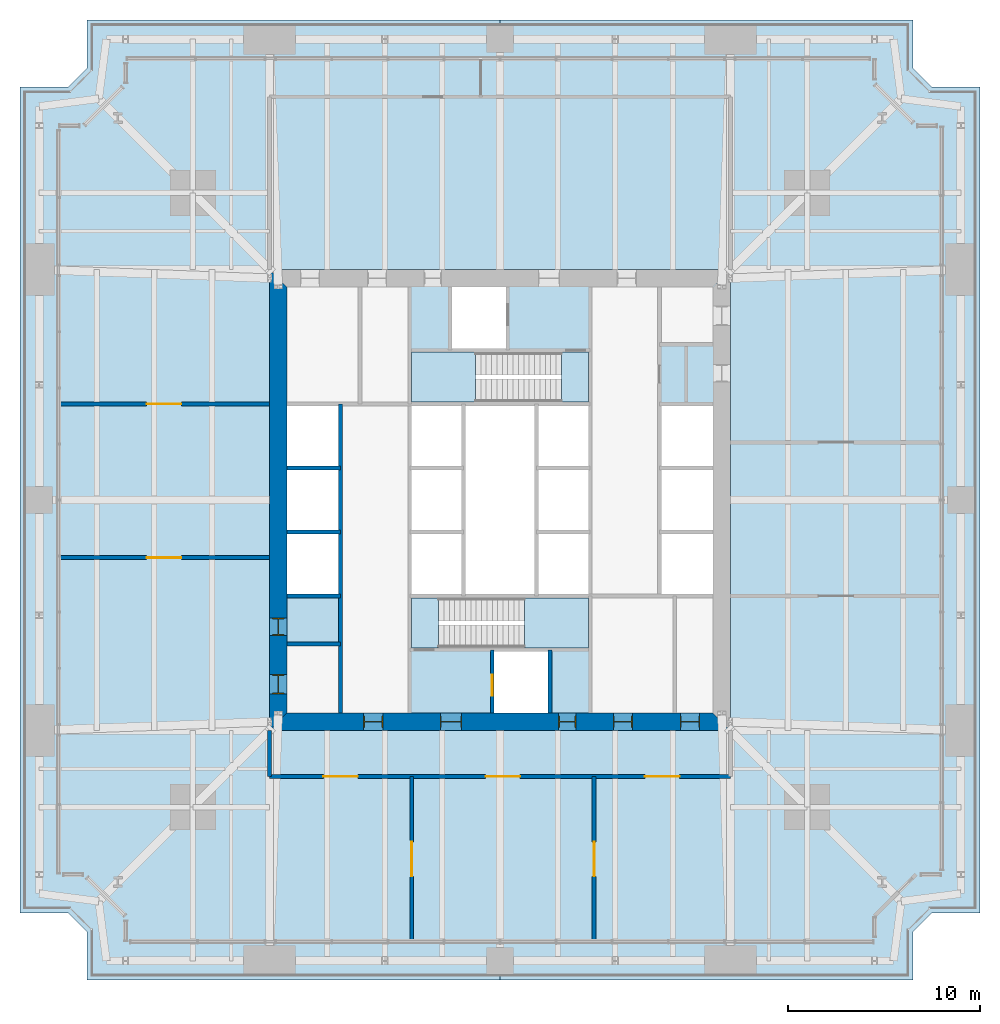
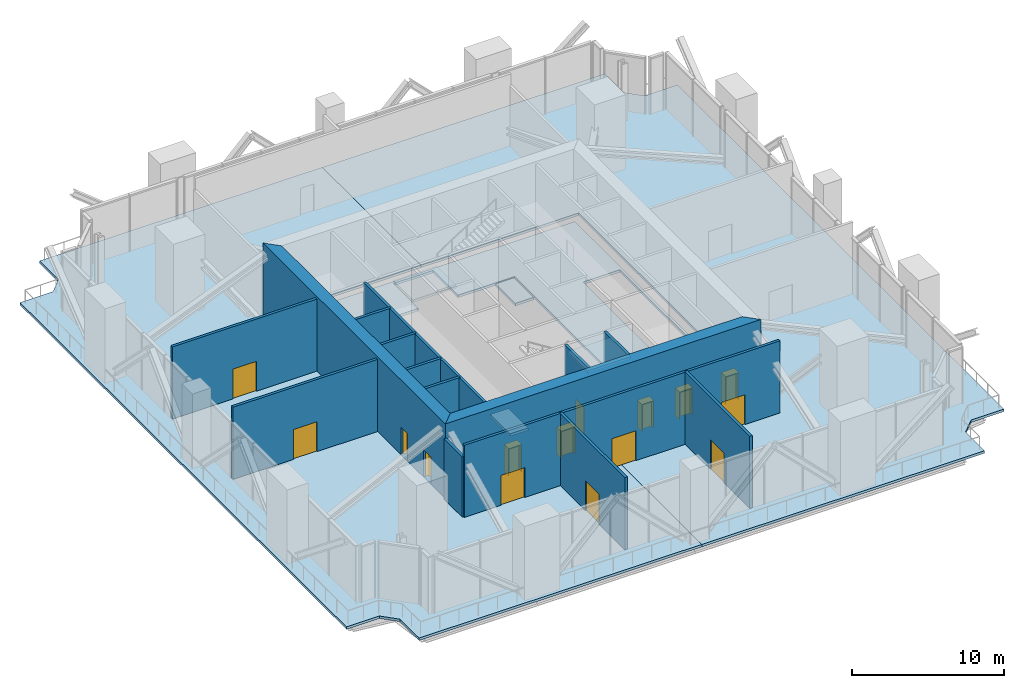
# One storey, part 8 of 13: 15 doors, 15 walls, 7 slabs, 15 openings, 2 elements without a shape of their own.
"""IFC4 building model written with IfcOpenShell, lengths in metres."""

from ifc_helpers import new_model, si_unit, direction, frame, frame_2d, origin, place, context, subcontext, project, spatial, polyline, rectangle, outline, extrude, material, layer, layer_set, type_object, element, fill, aggregate, save


model = new_model("IFC4")

# Units and contexts
model_context = context("Model", 3, precision=1e-05, world=origin(), true_north=direction((0.0, 1.0)))
body_context = subcontext(model_context, "Body", "Model", "MODEL_VIEW")
ifc_project = project(units=[si_unit("LENGTHUNIT", "METRE"), si_unit("AREAUNIT", "SQUARE_METRE"), si_unit("VOLUMEUNIT", "CUBIC_METRE"), si_unit("PLANEANGLEUNIT", "RADIAN"), si_unit("MASSUNIT", "GRAM", prefix="KILO")], contexts=[model_context])

# Site, building, storey
site_placement = place(None, origin())
site = spatial("IfcSite", under=ifc_project, at=site_placement, CompositionType="ELEMENT")
building_placement = place(site_placement, origin())
building = spatial("IfcBuilding", under=site, at=building_placement, Name="Fenwick Lantern Interchange", CompositionType="ELEMENT")
storey_placement = place(building_placement, frame((0.0, 0.0, 91.0)))
storey = spatial("IfcBuildingStorey", under=building, at=storey_placement, Name="L21", CompositionType="ELEMENT", Elevation=91.0)

# Slabs
ifc_material_1 = material(Name="Concrete f'c 35 MPa", Category="concrete")
ifc_layer_1 = layer(ifc_material_1, 0.199951171875)
ifc_layer_set_1 = layer_set([ifc_layer_1], Name="CORE FLOOR SLAB 200")
slab_type_1 = type_object("IfcSlabType", Name="CORE FLOOR SLAB 200", PredefinedType="FLOOR", material=ifc_layer_set_1)
slab_1_placement = place(storey_placement, frame((0.0, 0.0, -0.199951171875)))
element("IfcSlab", 1, at=slab_1_placement, inside=storey, type_object=slab_type_1, Name="L21/SLAB/CORE", PredefinedType="FLOOR", context=body_context, shape_type="SweptSolid", body=[
    extrude(outline(polyline([(13.699951171875, 36.300048828125), (36.300048828125, 36.300048828125), (36.300048828125, 13.699951171875), (13.699951171875, 13.699951171875), (13.699951171875, 36.300048828125)]), holes=[polyline([(13.89990234375, 20.0), (16.699951171875, 20.0), (16.699951171875, 23.333251953125), (16.699951171875, 26.666748046875), (16.699951171875, 30.0), (13.89990234375, 30.0), (13.89990234375, 26.666748046875), (13.89990234375, 23.333251953125), (13.89990234375, 20.0)]), polyline([(20.300048828125, 20.0), (20.300048828125, 17.199951171875), (24.60009765625, 17.199951171875), (24.60009765625, 13.89990234375), (27.60009765625, 13.89990234375), (27.60009765625, 17.199951171875), (29.699951171875, 17.199951171875), (29.699951171875, 20.0), (29.699951171875, 23.333251953125), (29.699951171875, 26.666748046875), (29.699951171875, 30.0), (29.699951171875, 32.800048828125), (25.39990234375, 32.800048828125), (25.39990234375, 36.10009765625), (22.39990234375, 36.10009765625), (22.39990234375, 32.800048828125), (20.300048828125, 32.800048828125), (20.300048828125, 30.0), (20.300048828125, 26.666748046875), (20.300048828125, 23.333251953125), (20.300048828125, 20.0)]), polyline([(33.300048828125, 23.333251953125), (33.300048828125, 20.0), (36.10009765625, 20.0), (36.10009765625, 23.333251953125), (36.10009765625, 26.666748046875), (36.10009765625, 30.0), (33.300048828125, 30.0), (33.300048828125, 26.666748046875), (33.300048828125, 23.333251953125)])]), origin(), (0.0, 0.0, 1.0), 0.199951171875),
])
ifc_material_2 = material(Name="Concrete f'c 35 MPa", Category="concrete")
ifc_layer_2 = layer(ifc_material_2, 0.199951171875)
ifc_layer_set_2 = layer_set([ifc_layer_2], Name="Concrete f'c 35 MPa")
slab_type_2 = type_object("IfcSlabType", Name="FLOOR SLAB 200", PredefinedType="FLOOR", material=ifc_layer_set_2)
slab_2_placement = place(storey_placement, frame((0.0, 0.0, -0.199951171875)))
element("IfcSlab", 2, at=slab_2_placement, inside=storey, type_object=slab_type_2, Name="L21/SLAB/FW", PredefinedType="FLOOR", context=body_context, shape_type="SweptSolid", body=[
    extrude(outline(polyline([(3.5, 0.0), (3.5, 2.5), (2.5, 3.5), (0.0, 3.5), (0.0, 46.5), (2.5, 46.5), (3.5, 47.5), (3.5, 50.0), (25.0, 50.0), (25.0, 37.0), (13.0, 37.0), (13.0, 13.0), (25.0, 13.0), (25.0, 0.0), (3.5, 0.0)])), origin(), (0.0, 0.0, 1.0), 0.199951171875),
])
slab_3_placement = place(storey_placement, frame((0.0, 0.0, -0.199951171875)))
element("IfcSlab", 3, at=slab_3_placement, inside=storey, type_object=slab_type_2, Name="L21/SLAB/FE", PredefinedType="FLOOR", context=body_context, shape_type="SweptSolid", body=[
    extrude(outline(polyline([(46.5, 50.0), (46.5, 47.5), (47.5, 46.5), (50.0, 46.5), (50.0, 3.5), (47.5, 3.5), (46.5, 2.5), (46.5, 0.0), (25.0, 0.0), (25.0, 13.0), (37.0, 13.0), (37.0, 37.0), (25.0, 37.0), (25.0, 50.0), (46.5, 50.0)])), origin(), (0.0, 0.0, 1.0), 0.199951171875),
])

# Stair, slabs
ifc_material_3 = material(Name="Precast concrete f'c 35 MPa", Category="concrete")
stair_type = type_object("IfcStairType", Name="EXIT STAIR 1200", PredefinedType="HALF_TURN_STAIR", material=ifc_material_3)
stair_1_placement = place(storey_placement, origin())
stair_1 = element("IfcStair", 4, at=stair_1_placement, inside=storey, type_object=stair_type, Name="Exit stair ST1", PredefinedType="HALF_TURN_STAIR")
ifc_layer_3 = layer(ifc_material_1, 0.199951171875)
ifc_layer_set_3 = layer_set([ifc_layer_3], Name="STAIR LANDING 200")
slab_type_3 = type_object("IfcSlabType", Name="STAIR LANDING 200", PredefinedType="LANDING", material=ifc_layer_set_3)
slab_4_placement = place(storey_placement, frame((0.0, 0.0, 2.800048828125)))
slab_4 = element("IfcSlab", 5, at=slab_4_placement, type_object=slab_type_3, Name="ST1 landing 1", PredefinedType="LANDING", context=body_context, shape_type="SweptSolid", body=[
    extrude(outline(polyline([(26.280029296875, 17.300048828125), (29.60009765625, 17.300048828125), (29.60009765625, 19.89990234375), (26.280029296875, 19.89990234375), (26.280029296875, 17.300048828125)])), origin(), (0.0, 0.0, 1.0), 0.199951171875),
])
slab_5_placement = place(storey_placement, frame((0.0, 0.0, -0.199951171875)))
slab_5 = element("IfcSlab", 6, at=slab_5_placement, type_object=slab_type_3, Name="ST1 landing 2", PredefinedType="LANDING", context=body_context, shape_type="SweptSolid", body=[
    extrude(outline(polyline([(20.39990234375, 17.300048828125), (21.800048828125, 17.300048828125), (21.800048828125, 19.89990234375), (20.39990234375, 19.89990234375), (20.39990234375, 17.300048828125)])), origin(), (0.0, 0.0, 1.0), 0.199951171875),
])
aggregate(stair_1, [slab_4, slab_5])

stair_2_placement = place(storey_placement, origin())
stair_2 = element("IfcStair", 7, at=stair_2_placement, inside=storey, type_object=stair_type, Name="Exit stair ST2", PredefinedType="HALF_TURN_STAIR")
slab_6_placement = place(storey_placement, frame((0.0, 0.0, 2.800048828125)))
slab_6 = element("IfcSlab", 8, at=slab_6_placement, type_object=slab_type_3, Name="ST2 landing 1", PredefinedType="LANDING", context=body_context, shape_type="SweptSolid", body=[
    extrude(outline(polyline([(23.719970703125, 32.699951171875), (20.39990234375, 32.699951171875), (20.39990234375, 30.10009765625), (23.719970703125, 30.10009765625), (23.719970703125, 32.699951171875)])), origin(), (0.0, 0.0, 1.0), 0.199951171875),
])
slab_7_placement = place(storey_placement, frame((0.0, 0.0, -0.199951171875)))
slab_7 = element("IfcSlab", 9, at=slab_7_placement, type_object=slab_type_3, Name="ST2 landing 2", PredefinedType="LANDING", context=body_context, shape_type="SweptSolid", body=[
    extrude(outline(polyline([(29.60009765625, 32.699951171875), (28.199951171875, 32.699951171875), (28.199951171875, 30.10009765625), (29.60009765625, 30.10009765625), (29.60009765625, 32.699951171875)])), origin(), (0.0, 0.0, 1.0), 0.199951171875),
])
aggregate(stair_2, [slab_6, slab_7])

# Walls
ifc_material_4 = material(Name="Concrete masonry ASTM C90 Grade N", Category="masonry")
ifc_layer_4 = layer(ifc_material_4, 0.199951171875)
ifc_layer_set_4 = layer_set([ifc_layer_4], Name="Concrete masonry ASTM C90 Grade N")
wall_type_1 = type_object("IfcWallType", Name="CORE PARTITION 200", PredefinedType="PARTITIONING", material=ifc_layer_set_4)
wall_1_placement = place(storey_placement, frame((16.699951171875, 13.89990234375, 0.0), z_axis=(0.0, 0.0, 1.0), x_axis=(0.0, 1.0, 0.0)))
element("IfcWall", 10, at=wall_1_placement, inside=storey, type_object=wall_type_1, Name="L21/W/CORES/a", PredefinedType="PARTITIONING", context=body_context, shape_type="SweptSolid", body=[
    extrude(rectangle(XDim=16.10009765625, YDim=0.199951171875, at=frame_2d((8.050048828125, 0.0))), origin(), (0.0, 0.0, 1.0), 5.800048828125),
])
for number, where, z_axis, x_axis, name in (
    (11, (13.89990234375, 20.0, 0.0), (0.0, 0.0, 1.0), (1.0, 0.0, 0.0), "L21/W/CORES/c2"),
    (12, (13.89990234375, 23.333251953125, 0.0), (0.0, 0.0, 1.0), (1.0, 0.0, 0.0), "L21/W/CORES/d1"),
    (13, (13.89990234375, 26.666748046875, 0.0), (0.0, 0.0, 1.0), (1.0, 0.0, 0.0), "L21/W/CORES/d2"),
):
    element("IfcWall", number, at=place(storey_placement, frame(where, z_axis=z_axis, x_axis=x_axis)), inside=storey, type_object=wall_type_1, Name=name, PredefinedType="PARTITIONING", context=body_context, shape_type="SweptSolid", body=[
        extrude(rectangle(XDim=2.800048828125, YDim=0.199951171875, at=frame_2d((1.39990234375, 0.0))), origin(), (0.0, 0.0, 1.0), 5.800048828125),
    ])

# Wall, opening, door
wall_2_placement = place(storey_placement, frame((24.60009765625, 13.89990234375, 0.0), z_axis=(0.0, 0.0, 1.0), x_axis=(0.0, 1.0, 0.0)))
wall_2 = element("IfcWall", 14, at=wall_2_placement, inside=storey, type_object=wall_type_1, Name="L21/W/CORES/h1", PredefinedType="PARTITIONING", context=body_context, shape_type="SweptSolid", body=[
    extrude(rectangle(XDim=3.300048828125, YDim=0.199951171875, at=frame_2d((1.64990234375, 0.0))), origin(), (0.0, 0.0, 1.0), 5.800048828125),
])
opening_1_placement = place(wall_2_placement, frame((0.89990234375, 0.0, 0.0)))
opening_1 = element("IfcOpeningElement", 15, at=opening_1_placement, cuts=wall_2, Name="Opening LD-FL1", PredefinedType="OPENING", context=body_context, shape_type="SweptSolid", body=[
    extrude(rectangle(XDim=1.10009765625, YDim=2.199951171875, at=frame_2d((0.550048828125, 1.10009765625))), frame((0.0, 0.10986328125, 0.0), z_axis=(0.0, -1.0, 0.0), x_axis=(1.0, 0.0, 0.0)), (0.0, 0.0, 1.0), 0.219970703125),
])
ifc_material_5 = material(Name="Steel door and frame", Category="steel")
door_type_1 = type_object("IfcDoorType", Name="LIFT LANDING DOOR 1100 X 2200", OperationType="DOUBLE_DOOR_SLIDING", PredefinedType="DOOR", material=ifc_material_5)
door_1_placement = place(opening_1_placement, origin())
door_1 = element("IfcDoor", 16, at=door_1_placement, inside=storey, type_object=door_type_1, Name="Lift landing door FL1", OperationType="DOUBLE_DOOR_SLIDING", OverallHeight=2.199951171875, OverallWidth=1.10009765625, PredefinedType="DOOR", context=body_context, shape_type="SweptSolid", body=[
    extrude(rectangle(XDim=1.10009765625, YDim=2.199951171875, at=frame_2d((0.550048828125, 1.10009765625))), frame((0.0, 0.02490234375, 0.0), z_axis=(0.0, -1.0, 0.0), x_axis=(1.0, 0.0, 0.0)), (0.0, 0.0, 1.0), 0.050048828125),
])
fill(opening_1, door_1)

# Walls
wall_3_placement = place(storey_placement, frame((27.60009765625, 13.89990234375, 0.0), z_axis=(0.0, 0.0, 1.0), x_axis=(0.0, 1.0, 0.0)))
element("IfcWall", 17, at=wall_3_placement, inside=storey, type_object=wall_type_1, Name="L21/W/CORES/h2", PredefinedType="PARTITIONING", context=body_context, shape_type="SweptSolid", body=[
    extrude(rectangle(XDim=3.300048828125, YDim=0.199951171875, at=frame_2d((1.64990234375, 0.0))), origin(), (0.0, 0.0, 1.0), 5.800048828125),
])
wall_4_placement = place(storey_placement, frame((13.89990234375, 17.5, 0.0), z_axis=(0.0, 0.0, 1.0), x_axis=(1.0, 0.0, 0.0)))
element("IfcWall", 18, at=wall_4_placement, inside=storey, type_object=wall_type_1, Name="L21/W/CORES/p1", PredefinedType="PARTITIONING", context=body_context, shape_type="SweptSolid", body=[
    extrude(rectangle(XDim=2.800048828125, YDim=0.199951171875, at=frame_2d((1.39990234375, 0.0))), origin(), (0.0, 0.0, 1.0), 5.800048828125),
])

# Wall, openings, doors
ifc_material_6 = material(Name="Concrete f'c 70 MPa", Category="concrete")
ifc_layer_5 = layer(ifc_material_6, 0.89990234375)
ifc_layer_set_5 = layer_set([ifc_layer_5], Name="CORE WALL 900")
wall_type_2 = type_object("IfcWallType", Name="CORE WALL 900", PredefinedType="SHEAR", material=ifc_layer_set_5)
wall_5_placement = place(storey_placement, frame((13.0, 13.449951171875, 0.0), z_axis=(0.0, 0.0, 1.0), x_axis=(1.0, 0.0, 0.0)))
wall_5 = element("IfcWall", 19, at=wall_5_placement, inside=storey, type_object=wall_type_2, Name="L21/CORE/S", PredefinedType="SHEAR", context=body_context, shape_type="SweptSolid", body=[
    extrude(outline(polyline([(0.0, -0.449951171875), (24.0, -0.449951171875), (23.10009765625, 0.449951171875), (0.89990234375, 0.449951171875), (0.0, -0.449951171875)])), origin(), (0.0, 0.0, 1.0), 6.0),
])
opening_2_placement = place(wall_5_placement, frame((4.89990234375, 0.0, 0.0)))
opening_2 = element("IfcOpeningElement", 20, at=opening_2_placement, cuts=wall_5, Name="Opening L21-D002", PredefinedType="OPENING", context=body_context, shape_type="SweptSolid", body=[
    extrude(rectangle(XDim=1.0, YDim=2.199951171875, at=frame_2d((0.5, 1.10009765625))), frame((0.0, 0.4599609375, 0.0), z_axis=(0.0, -1.0, 0.0), x_axis=(1.0, 0.0, 0.0)), (0.0, 0.0, 1.0), 0.919921875),
])
opening_3_placement = place(wall_5_placement, frame((8.89990234375, 0.0, 0.0)))
opening_3 = element("IfcOpeningElement", 21, at=opening_3_placement, cuts=wall_5, Name="Opening L21-D003", PredefinedType="OPENING", context=body_context, shape_type="SweptSolid", body=[
    extrude(rectangle(XDim=1.10009765625, YDim=2.199951171875, at=frame_2d((0.550048828125, 1.10009765625))), frame((0.0, 0.4599609375, 0.0), z_axis=(0.0, -1.0, 0.0), x_axis=(1.0, 0.0, 0.0)), (0.0, 0.0, 1.0), 0.919921875),
])
opening_4_placement = place(wall_5_placement, frame((15.050048828125, 0.0, 0.0)))
opening_4 = element("IfcOpeningElement", 22, at=opening_4_placement, cuts=wall_5, Name="Opening L21-D005", PredefinedType="OPENING", context=body_context, shape_type="SweptSolid", body=[
    extrude(rectangle(XDim=0.89990234375, YDim=2.199951171875, at=frame_2d((0.449951171875, 1.10009765625))), frame((0.0, 0.4599609375, 0.0), z_axis=(0.0, -1.0, 0.0), x_axis=(1.0, 0.0, 0.0)), (0.0, 0.0, 1.0), 0.919921875),
])
opening_5_placement = place(wall_5_placement, frame((17.89990234375, 0.0, 0.0)))
opening_5 = element("IfcOpeningElement", 23, at=opening_5_placement, cuts=wall_5, Name="Opening L21-D006", PredefinedType="OPENING", context=body_context, shape_type="SweptSolid", body=[
    extrude(rectangle(XDim=1.0, YDim=2.199951171875, at=frame_2d((0.5, 1.10009765625))), frame((0.0, 0.4599609375, 0.0), z_axis=(0.0, -1.0, 0.0), x_axis=(1.0, 0.0, 0.0)), (0.0, 0.0, 1.0), 0.919921875),
])
opening_6_placement = place(wall_5_placement, frame((21.39990234375, 0.0, 0.0)))
opening_6 = element("IfcOpeningElement", 24, at=opening_6_placement, cuts=wall_5, Name="Opening L21-D007", PredefinedType="OPENING", context=body_context, shape_type="SweptSolid", body=[
    extrude(rectangle(XDim=1.0, YDim=2.199951171875, at=frame_2d((0.5, 1.10009765625))), frame((0.0, 0.4599609375, 0.0), z_axis=(0.0, -1.0, 0.0), x_axis=(1.0, 0.0, 0.0)), (0.0, 0.0, 1.0), 0.919921875),
])
door_type_2 = type_object("IfcDoorType", Name="CORE LOBBY DOOR 1000 X 2200", OperationType="SINGLE_SWING_LEFT", PredefinedType="DOOR", material=ifc_material_5)
door_2_placement = place(opening_2_placement, origin())
door_2 = element("IfcDoor", 25, at=door_2_placement, inside=storey, type_object=door_type_2, Name="Core lobby door", OperationType="SINGLE_SWING_LEFT", OverallHeight=2.199951171875, OverallWidth=1.0, PredefinedType="DOOR", context=body_context, shape_type="SweptSolid", body=[
    extrude(rectangle(XDim=1.0, YDim=2.199951171875, at=frame_2d((0.5, 1.10009765625))), frame((0.0, 0.02490234375, 0.0), z_axis=(0.0, -1.0, 0.0), x_axis=(1.0, 0.0, 0.0)), (0.0, 0.0, 1.0), 0.050048828125),
    extrude(outline(polyline([(0.0, 0.0), (0.0400390625, 0.0), (0.0400390625, 2.159912109375), (0.9599609375, 2.159912109375), (0.9599609375, 0.0), (1.0, 0.0), (1.0, 2.199951171875), (0.0, 2.199951171875), (0.0, 0.0)])), frame((0.0, 0.300048828125, 0.0), z_axis=(0.0, -1.0, 0.0), x_axis=(1.0, 0.0, 0.0)), (0.0, 0.0, 1.0), 0.60009765625),
])
fill(opening_2, door_2)
door_type_3 = type_object("IfcDoorType", Name="FIRE LOBBY DOOR 1100 X 2200", OperationType="SINGLE_SWING_LEFT", PredefinedType="DOOR", material=ifc_material_5)
door_3_placement = place(opening_3_placement, origin())
door_3 = element("IfcDoor", 26, at=door_3_placement, inside=storey, type_object=door_type_3, Name="Fire lobby door", OperationType="SINGLE_SWING_LEFT", OverallHeight=2.199951171875, OverallWidth=1.10009765625, PredefinedType="DOOR", context=body_context, shape_type="SweptSolid", body=[
    extrude(rectangle(XDim=1.10009765625, YDim=2.199951171875, at=frame_2d((0.550048828125, 1.10009765625))), frame((0.0, 0.02490234375, 0.0), z_axis=(0.0, -1.0, 0.0), x_axis=(1.0, 0.0, 0.0)), (0.0, 0.0, 1.0), 0.050048828125),
    extrude(outline(polyline([(0.0, 0.0), (0.0400390625, 0.0), (0.0400390625, 2.159912109375), (1.06005859375, 2.159912109375), (1.06005859375, 0.0), (1.10009765625, 0.0), (1.10009765625, 2.199951171875), (0.0, 2.199951171875), (0.0, 0.0)])), frame((0.0, 0.300048828125, 0.0), z_axis=(0.0, -1.0, 0.0), x_axis=(1.0, 0.0, 0.0)), (0.0, 0.0, 1.0), 0.60009765625),
])
fill(opening_3, door_3)
door_type_4 = type_object("IfcDoorType", Name="SERVICE DOOR 900 X 2200", OperationType="SINGLE_SWING_LEFT", PredefinedType="DOOR", material=ifc_material_5)
door_4_placement = place(opening_4_placement, origin())
door_4 = element("IfcDoor", 27, at=door_4_placement, inside=storey, type_object=door_type_4, Name="Service door", OperationType="SINGLE_SWING_LEFT", OverallHeight=2.199951171875, OverallWidth=0.89990234375, PredefinedType="DOOR", context=body_context, shape_type="SweptSolid", body=[
    extrude(rectangle(XDim=0.89990234375, YDim=2.199951171875, at=frame_2d((0.449951171875, 1.10009765625))), frame((0.0, 0.02490234375, 0.0), z_axis=(0.0, -1.0, 0.0), x_axis=(1.0, 0.0, 0.0)), (0.0, 0.0, 1.0), 0.050048828125),
    extrude(outline(polyline([(0.0, 0.0), (0.0400390625, 0.0), (0.0400390625, 2.159912109375), (0.85986328125, 2.159912109375), (0.85986328125, 0.0), (0.89990234375, 0.0), (0.89990234375, 2.199951171875), (0.0, 2.199951171875), (0.0, 0.0)])), frame((0.0, 0.300048828125, 0.0), z_axis=(0.0, -1.0, 0.0), x_axis=(1.0, 0.0, 0.0)), (0.0, 0.0, 1.0), 0.60009765625),
])
fill(opening_4, door_4)
ifc_material_7 = material(Name="Hardwood door and steel frame", Category="steel")
door_type_5 = type_object("IfcDoorType", Name="WC DOOR 1000 X 2200", OperationType="SINGLE_SWING_LEFT", PredefinedType="DOOR", material=ifc_material_7)
door_5_placement = place(opening_5_placement, origin())
door_5 = element("IfcDoor", 28, at=door_5_placement, inside=storey, type_object=door_type_5, Name="Wc door", OperationType="SINGLE_SWING_LEFT", OverallHeight=2.199951171875, OverallWidth=1.0, PredefinedType="DOOR", context=body_context, shape_type="SweptSolid", body=[
    extrude(rectangle(XDim=1.0, YDim=2.199951171875, at=frame_2d((0.5, 1.10009765625))), frame((0.0, 0.02490234375, 0.0), z_axis=(0.0, -1.0, 0.0), x_axis=(1.0, 0.0, 0.0)), (0.0, 0.0, 1.0), 0.050048828125),
    extrude(outline(polyline([(0.0, 0.0), (0.0400390625, 0.0), (0.0400390625, 2.159912109375), (0.9599609375, 2.159912109375), (0.9599609375, 0.0), (1.0, 0.0), (1.0, 2.199951171875), (0.0, 2.199951171875), (0.0, 0.0)])), frame((0.0, 0.300048828125, 0.0), z_axis=(0.0, -1.0, 0.0), x_axis=(1.0, 0.0, 0.0)), (0.0, 0.0, 1.0), 0.60009765625),
])
fill(opening_5, door_5)
door_6_placement = place(opening_6_placement, origin())
door_6 = element("IfcDoor", 29, at=door_6_placement, inside=storey, type_object=door_type_5, Name="Wc door", OperationType="SINGLE_SWING_LEFT", OverallHeight=2.199951171875, OverallWidth=1.0, PredefinedType="DOOR", context=body_context, shape_type="SweptSolid", body=[
    extrude(rectangle(XDim=1.0, YDim=2.199951171875, at=frame_2d((0.5, 1.10009765625))), frame((0.0, 0.02490234375, 0.0), z_axis=(0.0, -1.0, 0.0), x_axis=(1.0, 0.0, 0.0)), (0.0, 0.0, 1.0), 0.050048828125),
    extrude(outline(polyline([(0.0, 0.0), (0.0400390625, 0.0), (0.0400390625, 2.159912109375), (0.9599609375, 2.159912109375), (0.9599609375, 0.0), (1.0, 0.0), (1.0, 2.199951171875), (0.0, 2.199951171875), (0.0, 0.0)])), frame((0.0, 0.300048828125, 0.0), z_axis=(0.0, -1.0, 0.0), x_axis=(1.0, 0.0, 0.0)), (0.0, 0.0, 1.0), 0.60009765625),
])
fill(opening_6, door_6)

wall_6_placement = place(storey_placement, frame((13.449951171875, 36.10009765625, 0.0), z_axis=(0.0, 0.0, 1.0), x_axis=(0.0, -1.0, 0.0)))
wall_6 = element("IfcWall", 30, at=wall_6_placement, inside=storey, type_object=wall_type_2, Name="L21/CORE/W", PredefinedType="SHEAR", context=body_context, shape_type="SweptSolid", body=[
    extrude(outline(polyline([(-0.89990234375, -0.449951171875), (23.10009765625, -0.449951171875), (22.199951171875, 0.449951171875), (0.0, 0.449951171875), (-0.89990234375, -0.449951171875)])), origin(), (0.0, 0.0, 1.0), 6.0),
])
opening_7_placement = place(wall_6_placement, frame((20.199951171875, 0.0, 0.0)))
opening_7 = element("IfcOpeningElement", 31, at=opening_7_placement, cuts=wall_6, Name="Opening L21-D008", PredefinedType="OPENING", context=body_context, shape_type="SweptSolid", body=[
    extrude(rectangle(XDim=1.0, YDim=2.199951171875, at=frame_2d((0.5, 1.10009765625))), frame((0.0, 0.4599609375, 0.0), z_axis=(0.0, -1.0, 0.0), x_axis=(1.0, 0.0, 0.0)), (0.0, 0.0, 1.0), 0.919921875),
])
opening_8_placement = place(wall_6_placement, frame((17.25, 0.0, 0.0)))
opening_8 = element("IfcOpeningElement", 32, at=opening_8_placement, cuts=wall_6, Name="Opening L21-D009", PredefinedType="OPENING", context=body_context, shape_type="SweptSolid", body=[
    extrude(rectangle(XDim=0.89990234375, YDim=2.199951171875, at=frame_2d((0.449951171875, 1.10009765625))), frame((0.0, 0.4599609375, 0.0), z_axis=(0.0, -1.0, 0.0), x_axis=(1.0, 0.0, 0.0)), (0.0, 0.0, 1.0), 0.919921875),
])
door_7_placement = place(opening_8_placement, origin())
door_7 = element("IfcDoor", 33, at=door_7_placement, inside=storey, type_object=door_type_4, Name="Service door", OperationType="SINGLE_SWING_RIGHT", OverallHeight=2.199951171875, OverallWidth=0.89990234375, PredefinedType="DOOR", context=body_context, shape_type="SweptSolid", body=[
    extrude(rectangle(XDim=0.89990234375, YDim=2.199951171875, at=frame_2d((0.449951171875, 1.10009765625))), frame((0.0, 0.02490234375, 0.0), z_axis=(0.0, -1.0, 0.0), x_axis=(1.0, 0.0, 0.0)), (0.0, 0.0, 1.0), 0.050048828125),
    extrude(outline(polyline([(0.0, 0.0), (0.0400390625, 0.0), (0.0400390625, 2.159912109375), (0.85986328125, 2.159912109375), (0.85986328125, 0.0), (0.89990234375, 0.0), (0.89990234375, 2.199951171875), (0.0, 2.199951171875), (0.0, 0.0)])), frame((0.0, 0.300048828125, 0.0), z_axis=(0.0, -1.0, 0.0), x_axis=(1.0, 0.0, 0.0)), (0.0, 0.0, 1.0), 0.60009765625),
])
fill(opening_8, door_7)
door_8_placement = place(opening_7_placement, origin())
door_8 = element("IfcDoor", 34, at=door_8_placement, inside=storey, type_object=door_type_5, Name="Wc door", OperationType="SINGLE_SWING_RIGHT", OverallHeight=2.199951171875, OverallWidth=1.0, PredefinedType="DOOR", context=body_context, shape_type="SweptSolid", body=[
    extrude(rectangle(XDim=1.0, YDim=2.199951171875, at=frame_2d((0.5, 1.10009765625))), frame((0.0, 0.02490234375, 0.0), z_axis=(0.0, -1.0, 0.0), x_axis=(1.0, 0.0, 0.0)), (0.0, 0.0, 1.0), 0.050048828125),
    extrude(outline(polyline([(0.0, 0.0), (0.0400390625, 0.0), (0.0400390625, 2.159912109375), (0.9599609375, 2.159912109375), (0.9599609375, 0.0), (1.0, 0.0), (1.0, 2.199951171875), (0.0, 2.199951171875), (0.0, 0.0)])), frame((0.0, 0.300048828125, 0.0), z_axis=(0.0, -1.0, 0.0), x_axis=(1.0, 0.0, 0.0)), (0.0, 0.0, 1.0), 0.60009765625),
])
fill(opening_7, door_8)

ifc_layer_6 = layer(ifc_material_4, 0.199951171875)
ifc_layer_set_6 = layer_set([ifc_layer_6], Name="Concrete masonry ASTM C90 Grade N")
wall_type_3 = type_object("IfcWallType", Name="PLANT ROOM WALL 200", PredefinedType="PARTITIONING", material=ifc_layer_set_6)
wall_7_placement = place(storey_placement, frame((13.0, 10.60009765625, 0.0), z_axis=(0.0, 0.0, 1.0), x_axis=(1.0, 0.0, 0.0)))
wall_7 = element("IfcWall", 35, at=wall_7_placement, inside=storey, type_object=wall_type_3, Name="L21/W/FLOOR/PCS-W", PredefinedType="PARTITIONING", context=body_context, shape_type="SweptSolid", body=[
    extrude(rectangle(XDim=24.0, YDim=0.199951171875, at=frame_2d((12.0, 0.0))), origin(), (0.0, 0.0, 1.0), 5.800048828125),
])
opening_9_placement = place(wall_7_placement, frame((2.800048828125, 0.0, 0.0)))
opening_9 = element("IfcOpeningElement", 36, at=opening_9_placement, cuts=wall_7, Name="Opening L21-D027", PredefinedType="OPENING", context=body_context, shape_type="SweptSolid", body=[
    extrude(rectangle(XDim=1.800048828125, YDim=2.39990234375, at=frame_2d((0.89990234375, 1.199951171875))), frame((0.0, 0.10986328125, 0.0), z_axis=(0.0, -1.0, 0.0), x_axis=(1.0, 0.0, 0.0)), (0.0, 0.0, 1.0), 0.219970703125),
])
opening_10_placement = place(wall_7_placement, frame((11.25, 0.0, 0.0)))
opening_10 = element("IfcOpeningElement", 37, at=opening_10_placement, cuts=wall_7, Name="Opening L21-D028", PredefinedType="OPENING", context=body_context, shape_type="SweptSolid", body=[
    extrude(rectangle(XDim=1.800048828125, YDim=2.39990234375, at=frame_2d((0.89990234375, 1.199951171875))), frame((0.0, 0.10986328125, 0.0), z_axis=(0.0, -1.0, 0.0), x_axis=(1.0, 0.0, 0.0)), (0.0, 0.0, 1.0), 0.219970703125),
])
opening_11_placement = place(wall_7_placement, frame((19.550048828125, 0.0, 0.0)))
opening_11 = element("IfcOpeningElement", 38, at=opening_11_placement, cuts=wall_7, Name="Opening L21-D029", PredefinedType="OPENING", context=body_context, shape_type="SweptSolid", body=[
    extrude(rectangle(XDim=1.800048828125, YDim=2.39990234375, at=frame_2d((0.89990234375, 1.199951171875))), frame((0.0, 0.10986328125, 0.0), z_axis=(0.0, -1.0, 0.0), x_axis=(1.0, 0.0, 0.0)), (0.0, 0.0, 1.0), 0.219970703125),
])
door_type_6 = type_object("IfcDoorType", Name="ROOM DOOR PAIR 1800 X 2400", OperationType="DOUBLE_DOOR_SINGLE_SWING", PredefinedType="DOOR", material=ifc_material_5)
door_9_placement = place(opening_9_placement, origin())
door_9 = element("IfcDoor", 39, at=door_9_placement, inside=storey, type_object=door_type_6, Name="Room door pair", OperationType="DOUBLE_DOOR_SINGLE_SWING", OverallHeight=2.39990234375, OverallWidth=1.800048828125, PredefinedType="DOOR", context=body_context, shape_type="SweptSolid", body=[
    extrude(rectangle(XDim=1.800048828125, YDim=2.39990234375, at=frame_2d((0.89990234375, 1.199951171875))), frame((0.0, 0.02490234375, 0.0), z_axis=(0.0, -1.0, 0.0), x_axis=(1.0, 0.0, 0.0)), (0.0, 0.0, 1.0), 0.050048828125),
])
fill(opening_9, door_9)
door_10_placement = place(opening_10_placement, origin())
door_10 = element("IfcDoor", 40, at=door_10_placement, inside=storey, type_object=door_type_6, Name="Room door pair", OperationType="DOUBLE_DOOR_SINGLE_SWING", OverallHeight=2.39990234375, OverallWidth=1.800048828125, PredefinedType="DOOR", context=body_context, shape_type="SweptSolid", body=[
    extrude(rectangle(XDim=1.800048828125, YDim=2.39990234375, at=frame_2d((0.89990234375, 1.199951171875))), frame((0.0, 0.02490234375, 0.0), z_axis=(0.0, -1.0, 0.0), x_axis=(1.0, 0.0, 0.0)), (0.0, 0.0, 1.0), 0.050048828125),
])
fill(opening_10, door_10)
door_11_placement = place(opening_11_placement, origin())
door_11 = element("IfcDoor", 41, at=door_11_placement, inside=storey, type_object=door_type_6, Name="Room door pair", OperationType="DOUBLE_DOOR_SINGLE_SWING", OverallHeight=2.39990234375, OverallWidth=1.800048828125, PredefinedType="DOOR", context=body_context, shape_type="SweptSolid", body=[
    extrude(rectangle(XDim=1.800048828125, YDim=2.39990234375, at=frame_2d((0.89990234375, 1.199951171875))), frame((0.0, 0.02490234375, 0.0), z_axis=(0.0, -1.0, 0.0), x_axis=(1.0, 0.0, 0.0)), (0.0, 0.0, 1.0), 0.050048828125),
])
fill(opening_11, door_11)

# Wall
wall_8_placement = place(storey_placement, frame((13.0, 10.60009765625, 0.0), z_axis=(0.0, 0.0, 1.0), x_axis=(0.0, 1.0, 0.0)))
element("IfcWall", 42, at=wall_8_placement, inside=storey, type_object=wall_type_3, Name="L21/W/FLOOR/PCS-A", PredefinedType="PARTITIONING", context=body_context, shape_type="SweptSolid", body=[
    extrude(rectangle(XDim=2.39990234375, YDim=0.199951171875, at=frame_2d((1.199951171875, 0.0))), origin(), (0.0, 0.0, 1.0), 4.8525390625),
])

# Wall, opening, door
wall_9_placement = place(storey_placement, frame((20.39990234375, 2.0, 0.0), z_axis=(0.0, 0.0, 1.0), x_axis=(0.0, 1.0, 0.0)))
wall_9 = element("IfcWall", 43, at=wall_9_placement, inside=storey, type_object=wall_type_3, Name="L21/W/FLOOR/PW1", PredefinedType="PARTITIONING", context=body_context, shape_type="SweptSolid", body=[
    extrude(rectangle(XDim=8.60009765625, YDim=0.199951171875, at=frame_2d((4.300048828125, 0.0))), origin(), (0.0, 0.0, 1.0), 5.800048828125),
])
opening_12_placement = place(wall_9_placement, frame((3.39990234375, 0.0, 0.0)))
opening_12 = element("IfcOpeningElement", 44, at=opening_12_placement, cuts=wall_9, Name="Opening L21-D020", PredefinedType="OPENING", context=body_context, shape_type="SweptSolid", body=[
    extrude(rectangle(XDim=1.800048828125, YDim=2.39990234375, at=frame_2d((0.89990234375, 1.199951171875))), frame((0.0, 0.10986328125, 0.0), z_axis=(0.0, -1.0, 0.0), x_axis=(1.0, 0.0, 0.0)), (0.0, 0.0, 1.0), 0.219970703125),
])
door_12_placement = place(opening_12_placement, frame((1.800048828125, 0.0, 0.0), z_axis=(0.0, 0.0, 1.0), x_axis=(-1.0, 0.0, 0.0)))
door_12 = element("IfcDoor", 45, at=door_12_placement, inside=storey, type_object=door_type_6, Name="Room door pair", OperationType="DOUBLE_DOOR_SINGLE_SWING", OverallHeight=2.39990234375, OverallWidth=1.800048828125, PredefinedType="DOOR", context=body_context, shape_type="SweptSolid", body=[
    extrude(rectangle(XDim=1.800048828125, YDim=2.39990234375, at=frame_2d((0.89990234375, 1.199951171875))), frame((0.0, 0.02490234375, 0.0), z_axis=(0.0, -1.0, 0.0), x_axis=(1.0, 0.0, 0.0)), (0.0, 0.0, 1.0), 0.050048828125),
])
fill(opening_12, door_12)

wall_10_placement = place(storey_placement, frame((29.89990234375, 2.0, 0.0), z_axis=(0.0, 0.0, 1.0), x_axis=(0.0, 1.0, 0.0)))
wall_10 = element("IfcWall", 46, at=wall_10_placement, inside=storey, type_object=wall_type_3, Name="L21/W/FLOOR/PW2", PredefinedType="PARTITIONING", context=body_context, shape_type="SweptSolid", body=[
    extrude(rectangle(XDim=8.60009765625, YDim=0.199951171875, at=frame_2d((4.300048828125, 0.0))), origin(), (0.0, 0.0, 1.0), 5.800048828125),
])
opening_13_placement = place(wall_10_placement, frame((3.39990234375, 0.0, 0.0)))
opening_13 = element("IfcOpeningElement", 47, at=opening_13_placement, cuts=wall_10, Name="Opening L21-D021", PredefinedType="OPENING", context=body_context, shape_type="SweptSolid", body=[
    extrude(rectangle(XDim=1.800048828125, YDim=2.39990234375, at=frame_2d((0.89990234375, 1.199951171875))), frame((0.0, 0.10986328125, 0.0), z_axis=(0.0, -1.0, 0.0), x_axis=(1.0, 0.0, 0.0)), (0.0, 0.0, 1.0), 0.219970703125),
])
door_13_placement = place(opening_13_placement, origin())
door_13 = element("IfcDoor", 48, at=door_13_placement, inside=storey, type_object=door_type_6, Name="Room door pair", OperationType="DOUBLE_DOOR_SINGLE_SWING", OverallHeight=2.39990234375, OverallWidth=1.800048828125, PredefinedType="DOOR", context=body_context, shape_type="SweptSolid", body=[
    extrude(rectangle(XDim=1.800048828125, YDim=2.39990234375, at=frame_2d((0.89990234375, 1.199951171875))), frame((0.0, 0.02490234375, 0.0), z_axis=(0.0, -1.0, 0.0), x_axis=(1.0, 0.0, 0.0)), (0.0, 0.0, 1.0), 0.050048828125),
])
fill(opening_13, door_13)

wall_11_placement = place(storey_placement, frame((2.0, 22.0, 0.0), z_axis=(0.0, 0.0, 1.0), x_axis=(1.0, 0.0, 0.0)))
wall_11 = element("IfcWall", 49, at=wall_11_placement, inside=storey, type_object=wall_type_3, Name="L21/W/FLOOR/PW6", PredefinedType="PARTITIONING", context=body_context, shape_type="SweptSolid", body=[
    extrude(rectangle(XDim=11.0, YDim=0.199951171875, at=frame_2d((5.5, 0.0))), origin(), (0.0, 0.0, 1.0), 5.800048828125),
])
opening_14_placement = place(wall_11_placement, frame((4.60009765625, 0.0, 0.0)))
opening_14 = element("IfcOpeningElement", 50, at=opening_14_placement, cuts=wall_11, Name="Opening L21-D025", PredefinedType="OPENING", context=body_context, shape_type="SweptSolid", body=[
    extrude(rectangle(XDim=1.800048828125, YDim=2.39990234375, at=frame_2d((0.89990234375, 1.199951171875))), frame((0.0, 0.10986328125, 0.0), z_axis=(0.0, -1.0, 0.0), x_axis=(1.0, 0.0, 0.0)), (0.0, 0.0, 1.0), 0.219970703125),
])
door_14_placement = place(opening_14_placement, origin())
door_14 = element("IfcDoor", 51, at=door_14_placement, inside=storey, type_object=door_type_6, Name="Room door pair", OperationType="DOUBLE_DOOR_SINGLE_SWING", OverallHeight=2.39990234375, OverallWidth=1.800048828125, PredefinedType="DOOR", context=body_context, shape_type="SweptSolid", body=[
    extrude(rectangle(XDim=1.800048828125, YDim=2.39990234375, at=frame_2d((0.89990234375, 1.199951171875))), frame((0.0, 0.02490234375, 0.0), z_axis=(0.0, -1.0, 0.0), x_axis=(1.0, 0.0, 0.0)), (0.0, 0.0, 1.0), 0.050048828125),
])
fill(opening_14, door_14)

wall_12_placement = place(storey_placement, frame((2.0, 30.0, 0.0), z_axis=(0.0, 0.0, 1.0), x_axis=(1.0, 0.0, 0.0)))
wall_12 = element("IfcWall", 52, at=wall_12_placement, inside=storey, type_object=wall_type_3, Name="L21/W/FLOOR/PW7", PredefinedType="PARTITIONING", context=body_context, shape_type="SweptSolid", body=[
    extrude(rectangle(XDim=11.0, YDim=0.199951171875, at=frame_2d((5.5, 0.0))), origin(), (0.0, 0.0, 1.0), 5.800048828125),
])
opening_15_placement = place(wall_12_placement, frame((4.60009765625, 0.0, 0.0)))
opening_15 = element("IfcOpeningElement", 53, at=opening_15_placement, cuts=wall_12, Name="Opening L21-D026", PredefinedType="OPENING", context=body_context, shape_type="SweptSolid", body=[
    extrude(rectangle(XDim=1.800048828125, YDim=2.39990234375, at=frame_2d((0.89990234375, 1.199951171875))), frame((0.0, 0.10986328125, 0.0), z_axis=(0.0, -1.0, 0.0), x_axis=(1.0, 0.0, 0.0)), (0.0, 0.0, 1.0), 0.219970703125),
])
door_15_placement = place(opening_15_placement, frame((1.800048828125, 0.0, 0.0), z_axis=(0.0, 0.0, 1.0), x_axis=(-1.0, 0.0, 0.0)))
door_15 = element("IfcDoor", 54, at=door_15_placement, inside=storey, type_object=door_type_6, Name="Room door pair", OperationType="DOUBLE_DOOR_SINGLE_SWING", OverallHeight=2.39990234375, OverallWidth=1.800048828125, PredefinedType="DOOR", context=body_context, shape_type="SweptSolid", body=[
    extrude(rectangle(XDim=1.800048828125, YDim=2.39990234375, at=frame_2d((0.89990234375, 1.199951171875))), frame((0.0, 0.02490234375, 0.0), z_axis=(0.0, -1.0, 0.0), x_axis=(1.0, 0.0, 0.0)), (0.0, 0.0, 1.0), 0.050048828125),
])
fill(opening_15, door_15)

save(model, "model.ifc")
